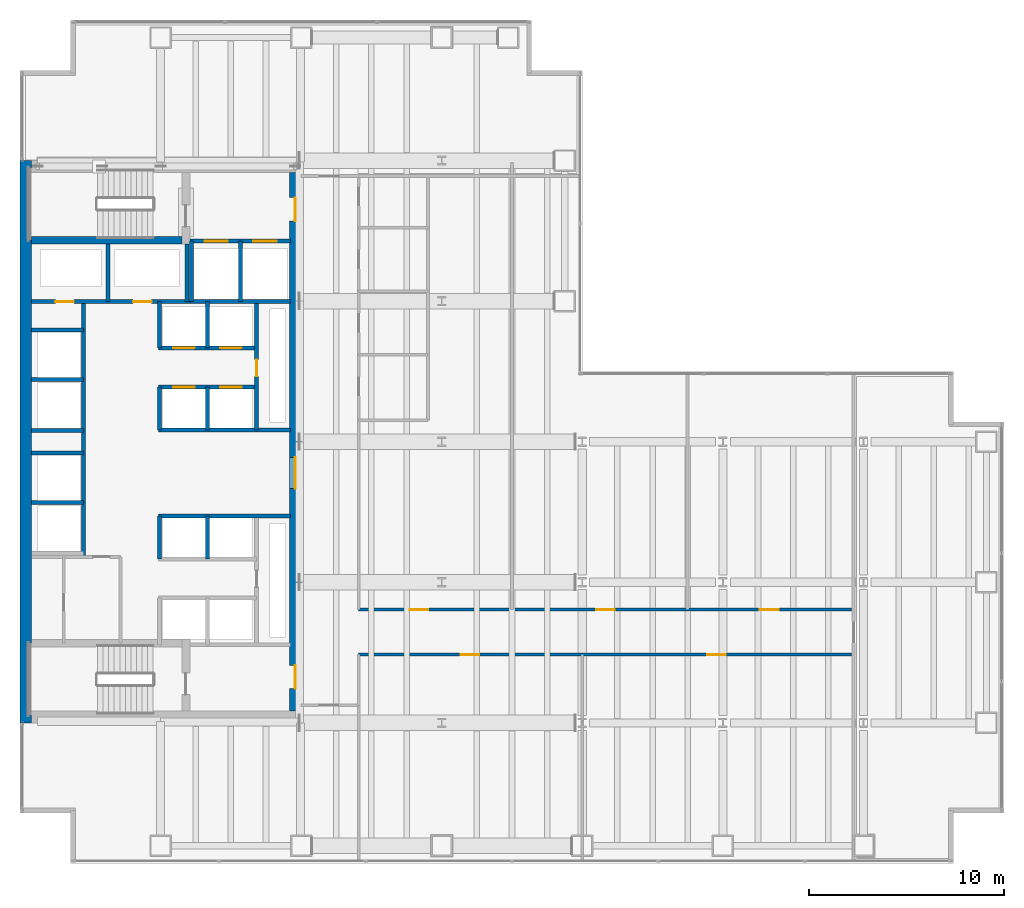
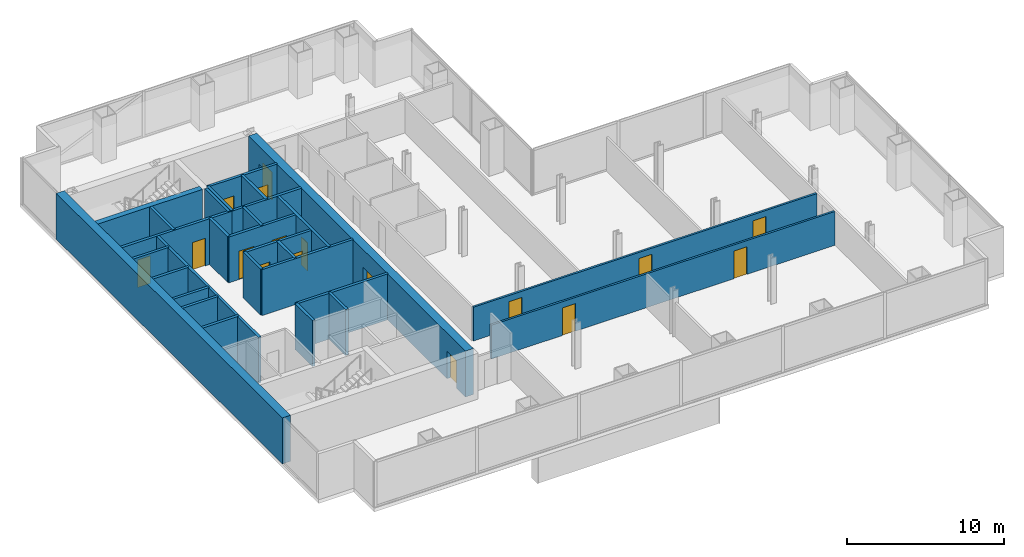
# One storey, part 21 of 24: 29 walls, 17 doors, 17 openings.
"""IFC4 building model written with IfcOpenShell, lengths in metres."""

from ifc_helpers import new_model, si_unit, direction, frame, frame_2d, origin, place, context, subcontext, project, spatial, rectangle, extrude, material, layer, layer_set, type_object, element, fill, save


model = new_model("IFC4")

# Units and contexts
model_context = context("Model", 3, precision=1e-05, world=origin(), true_north=direction((0.0, 1.0)))
body_context = subcontext(model_context, "Body", "Model", "MODEL_VIEW")
ifc_project = project(units=[si_unit("LENGTHUNIT", "METRE"), si_unit("AREAUNIT", "SQUARE_METRE"), si_unit("VOLUMEUNIT", "CUBIC_METRE"), si_unit("PLANEANGLEUNIT", "RADIAN"), si_unit("MASSUNIT", "GRAM", prefix="KILO")], contexts=[model_context])

# Site, building, storey
site_placement = place(None, origin())
site = spatial("IfcSite", under=ifc_project, at=site_placement, CompositionType="ELEMENT")
building_placement = place(site_placement, origin())
building = spatial("IfcBuilding", under=site, at=building_placement, Name="Cobrela Telecom Tower", CompositionType="ELEMENT")
storey_placement = place(building_placement, frame((0.0, 0.0, 31.14990234375)))
storey = spatial("IfcBuildingStorey", under=building, at=storey_placement, Name="L07", CompositionType="ELEMENT", Elevation=31.14990234375)

# Wall
ifc_material_1 = material(Name="Concrete C50/60", Category="concrete")
ifc_layer_1 = layer(ifc_material_1, 0.60009765625)
ifc_layer_set_1 = layer_set([ifc_layer_1], Name="Concrete C50/60")
wall_type_1 = type_object("IfcWallType", Name="WALL-CORE-C50-600", PredefinedType="SHEAR", material=ifc_layer_set_1)
wall_1_placement = place(storey_placement, frame((0.300048828125, 7.199951171875, 0.0), z_axis=(0.0, 0.0, 1.0), x_axis=(0.0, 1.0, 0.0)))
element("IfcWall", 1, at=wall_1_placement, inside=storey, type_object=wall_type_1, Name="L07 West Core Shear Wall", PredefinedType="SHEAR", context=body_context, shape_type="SweptSolid", body=[
    extrude(rectangle(XDim=28.800048828125, YDim=0.60009765625, at=frame_2d((14.39990234375, 0.0))), origin(), (0.0, 0.0, 1.0), 3.570068359375),
])

# Wall, openings, doors
wall_2_placement = place(storey_placement, frame((14.10009765625, 35.39990234375, 0.0), z_axis=(0.0, 0.0, 1.0), x_axis=(0.0, -1.0, 0.0)))
wall_2 = element("IfcWall", 2, at=wall_2_placement, inside=storey, type_object=wall_type_1, Name="L07 East Core Shear Wall", PredefinedType="SHEAR", context=body_context, shape_type="SweptSolid", body=[
    extrude(rectangle(XDim=27.599853515625, YDim=0.60009765625, at=frame_2d((13.7998046875, 0.0))), origin(), (0.0, 0.0, 1.0), 3.570068359375),
])
opening_1_placement = place(wall_2_placement, frame((1.300048828125, 0.0, 0.0)))
opening_1 = element("IfcOpeningElement", 3, at=opening_1_placement, cuts=wall_2, Name="Opening DR-19", PredefinedType="OPENING", context=body_context, shape_type="SweptSolid", body=[
    extrude(rectangle(XDim=1.199951171875, YDim=2.14990234375, at=frame_2d((0.60009765625, 1.074951171875))), frame((0.0, 0.31201171875, 0.0), z_axis=(0.0, -1.0, 0.0), x_axis=(1.0, 0.0, 0.0)), (0.0, 0.0, 1.0), 0.6240234375),
])
opening_2_placement = place(wall_2_placement, frame((25.25, 0.0, 0.0)))
opening_2 = element("IfcOpeningElement", 4, at=opening_2_placement, cuts=wall_2, Name="Opening DR-19", PredefinedType="OPENING", context=body_context, shape_type="SweptSolid", body=[
    extrude(rectangle(XDim=1.199951171875, YDim=2.14990234375, at=frame_2d((0.60009765625, 1.074951171875))), frame((0.0, 0.31201171875, 0.0), z_axis=(0.0, -1.0, 0.0), x_axis=(1.0, 0.0, 0.0)), (0.0, 0.0, 1.0), 0.6240234375),
])
opening_3_placement = place(wall_2_placement, frame((14.60009765625, 0.0, 0.0)))
opening_3 = element("IfcOpeningElement", 5, at=opening_3_placement, cuts=wall_2, Name="Opening DR-51", PredefinedType="OPENING", context=body_context, shape_type="SweptSolid", body=[
    extrude(rectangle(XDim=1.60009765625, YDim=2.199951171875, at=frame_2d((0.800048828125, 1.10009765625))), frame((0.0, 0.31201171875, 0.0), z_axis=(0.0, -1.0, 0.0), x_axis=(1.0, 0.0, 0.0)), (0.0, 0.0, 1.0), 0.6240234375),
])
ifc_material_2 = material(Name="Steel ASTM A36", Category="steel")
door_type_1 = type_object("IfcDoorType", Name="DOOR-FD60-1200", OperationType="SINGLE_SWING_LEFT", PredefinedType="DOOR", material=ifc_material_2)
door_1_placement = place(opening_1_placement, origin())
door_1 = element("IfcDoor", 6, at=door_1_placement, inside=storey, type_object=door_type_1, Name="L07 Door DR-19", OperationType="SINGLE_SWING_LEFT", OverallHeight=2.14990234375, OverallWidth=1.199951171875, PredefinedType="DOOR", context=body_context, shape_type="SweptSolid", body=[
    extrude(rectangle(XDim=1.199951171875, YDim=2.14990234375, at=frame_2d((0.60009765625, 1.074951171875))), frame((0.0, 0.02490234375, 0.0), z_axis=(0.0, -1.0, 0.0), x_axis=(1.0, 0.0, 0.0)), (0.0, 0.0, 1.0), 0.050048828125),
])
fill(opening_1, door_1)
door_2_placement = place(opening_2_placement, origin())
door_2 = element("IfcDoor", 7, at=door_2_placement, inside=storey, type_object=door_type_1, Name="L07 Door DR-19", OperationType="SINGLE_SWING_RIGHT", OverallHeight=2.14990234375, OverallWidth=1.199951171875, PredefinedType="DOOR", context=body_context, shape_type="SweptSolid", body=[
    extrude(rectangle(XDim=1.199951171875, YDim=2.14990234375, at=frame_2d((0.60009765625, 1.074951171875))), frame((0.0, 0.02490234375, 0.0), z_axis=(0.0, -1.0, 0.0), x_axis=(1.0, 0.0, 0.0)), (0.0, 0.0, 1.0), 0.050048828125),
])
fill(opening_2, door_2)
door_type_2 = type_object("IfcDoorType", Name="DOOR-FD60-1600", OperationType="SINGLE_SWING_LEFT", PredefinedType="DOOR", material=ifc_material_2)
door_3_placement = place(opening_3_placement, origin())
door_3 = element("IfcDoor", 8, at=door_3_placement, inside=storey, type_object=door_type_2, Name="L07 Door DR-51", OperationType="DOUBLE_DOOR_SINGLE_SWING", OverallHeight=2.199951171875, OverallWidth=1.60009765625, PredefinedType="DOOR", context=body_context, shape_type="SweptSolid", body=[
    extrude(rectangle(XDim=1.60009765625, YDim=2.199951171875, at=frame_2d((0.800048828125, 1.10009765625))), frame((0.0, 0.02490234375, 0.0), z_axis=(0.0, -1.0, 0.0), x_axis=(1.0, 0.0, 0.0)), (0.0, 0.0, 1.0), 0.050048828125),
])
fill(opening_3, door_3)

ifc_material_3 = material(Name="Fire-Rated Gypsum Plasterboard")
ifc_layer_2 = layer(ifc_material_3, 0.14990234375)
ifc_layer_set_2 = layer_set([ifc_layer_2], Name="Fire-Rated Gypsum Plasterboard")
wall_type_2 = type_object("IfcWallType", Name="WALL-PART-150", PredefinedType="PARTITIONING", material=ifc_layer_set_2)
wall_3_placement = place(storey_placement, frame((17.35009765625, 10.699951171875, 0.0), z_axis=(0.0, 0.0, 1.0), x_axis=(1.0, 0.0, 0.0)))
wall_3 = element("IfcWall", 9, at=wall_3_placement, inside=storey, type_object=wall_type_2, Name="L07 Interior Partition W-C-HS", PredefinedType="PARTITIONING", context=body_context, shape_type="SweptSolid", body=[
    extrude(rectangle(XDim=25.25, YDim=0.14990234375, at=frame_2d((12.625, 0.0))), origin(), (0.0, 0.0, 1.0), 2.628173828125),
])
opening_4_placement = place(wall_3_placement, frame((5.22998046875, 0.0, 0.0)))
opening_4 = element("IfcOpeningElement", 10, at=opening_4_placement, cuts=wall_3, Name="Opening DR-67", PredefinedType="OPENING", context=body_context, shape_type="SweptSolid", body=[
    extrude(rectangle(XDim=0.949951171875, YDim=2.14990234375, at=frame_2d((0.47509765625, 1.074951171875))), frame((0.0, 0.0869140625, 0.0), z_axis=(0.0, -1.0, 0.0), x_axis=(1.0, 0.0, 0.0)), (0.0, 0.0, 1.0), 0.173828125),
])
opening_5_placement = place(wall_3_placement, frame((17.85009765625, 0.0, 0.0)))
opening_5 = element("IfcOpeningElement", 11, at=opening_5_placement, cuts=wall_3, Name="Opening DR-67", PredefinedType="OPENING", context=body_context, shape_type="SweptSolid", body=[
    extrude(rectangle(XDim=0.949951171875, YDim=2.14990234375, at=frame_2d((0.47509765625, 1.074951171875))), frame((0.0, 0.0869140625, 0.0), z_axis=(0.0, -1.0, 0.0), x_axis=(1.0, 0.0, 0.0)), (0.0, 0.0, 1.0), 0.173828125),
])
ifc_material_4 = material(Name="Solid Engineered Oak Timber", Category="wood")
door_type_3 = type_object("IfcDoorType", Name="DOOR-INT-950", OperationType="SINGLE_SWING_LEFT", PredefinedType="DOOR", material=ifc_material_4)
door_4_placement = place(opening_4_placement, origin())
door_4 = element("IfcDoor", 12, at=door_4_placement, inside=storey, type_object=door_type_3, Name="L07 Door DR-67", OperationType="SINGLE_SWING_LEFT", OverallHeight=2.14990234375, OverallWidth=0.949951171875, PredefinedType="DOOR", context=body_context, shape_type="SweptSolid", body=[
    extrude(rectangle(XDim=0.949951171875, YDim=2.14990234375, at=frame_2d((0.47509765625, 1.074951171875))), frame((0.0, 0.02490234375, 0.0), z_axis=(0.0, -1.0, 0.0), x_axis=(1.0, 0.0, 0.0)), (0.0, 0.0, 1.0), 0.050048828125),
])
fill(opening_4, door_4)
door_5_placement = place(opening_5_placement, origin())
door_5 = element("IfcDoor", 13, at=door_5_placement, inside=storey, type_object=door_type_3, Name="L07 Door DR-67", OperationType="SINGLE_SWING_RIGHT", OverallHeight=2.14990234375, OverallWidth=0.949951171875, PredefinedType="DOOR", context=body_context, shape_type="SweptSolid", body=[
    extrude(rectangle(XDim=0.949951171875, YDim=2.14990234375, at=frame_2d((0.47509765625, 1.074951171875))), frame((0.0, 0.02490234375, 0.0), z_axis=(0.0, -1.0, 0.0), x_axis=(1.0, 0.0, 0.0)), (0.0, 0.0, 1.0), 0.050048828125),
])
fill(opening_5, door_5)

wall_4_placement = place(storey_placement, frame((17.35009765625, 13.0, 0.0), z_axis=(0.0, 0.0, 1.0), x_axis=(1.0, 0.0, 0.0)))
wall_4 = element("IfcWall", 14, at=wall_4_placement, inside=storey, type_object=wall_type_2, Name="L07 Interior Partition W-C-HN", PredefinedType="PARTITIONING", context=body_context, shape_type="SweptSolid", body=[
    extrude(rectangle(XDim=25.25, YDim=0.14990234375, at=frame_2d((12.625, 0.0))), origin(), (0.0, 0.0, 1.0), 2.628173828125),
])
opening_6_placement = place(wall_4_placement, frame((2.6201171875, 0.0, 0.0)))
opening_6 = element("IfcOpeningElement", 15, at=opening_6_placement, cuts=wall_4, Name="Opening DR-67", PredefinedType="OPENING", context=body_context, shape_type="SweptSolid", body=[
    extrude(rectangle(XDim=0.949951171875, YDim=2.14990234375, at=frame_2d((0.47509765625, 1.074951171875))), frame((0.0, 0.0869140625, 0.0), z_axis=(0.0, -1.0, 0.0), x_axis=(1.0, 0.0, 0.0)), (0.0, 0.0, 1.0), 0.173828125),
])
opening_7_placement = place(wall_4_placement, frame((12.169921875, 0.0, 0.0)))
opening_7 = element("IfcOpeningElement", 16, at=opening_7_placement, cuts=wall_4, Name="Opening DR-67", PredefinedType="OPENING", context=body_context, shape_type="SweptSolid", body=[
    extrude(rectangle(XDim=0.949951171875, YDim=2.14990234375, at=frame_2d((0.47509765625, 1.074951171875))), frame((0.0, 0.0869140625, 0.0), z_axis=(0.0, -1.0, 0.0), x_axis=(1.0, 0.0, 0.0)), (0.0, 0.0, 1.0), 0.173828125),
])
opening_8_placement = place(wall_4_placement, frame((20.550048828125, 0.0, 0.0)))
opening_8 = element("IfcOpeningElement", 17, at=opening_8_placement, cuts=wall_4, Name="Opening DR-67", PredefinedType="OPENING", context=body_context, shape_type="SweptSolid", body=[
    extrude(rectangle(XDim=0.949951171875, YDim=2.14990234375, at=frame_2d((0.47509765625, 1.074951171875))), frame((0.0, 0.0869140625, 0.0), z_axis=(0.0, -1.0, 0.0), x_axis=(1.0, 0.0, 0.0)), (0.0, 0.0, 1.0), 0.173828125),
])
door_6_placement = place(opening_6_placement, origin())
door_6 = element("IfcDoor", 18, at=door_6_placement, inside=storey, type_object=door_type_3, Name="L07 Door DR-67", OperationType="SINGLE_SWING_LEFT", OverallHeight=2.14990234375, OverallWidth=0.949951171875, PredefinedType="DOOR", context=body_context, shape_type="SweptSolid", body=[
    extrude(rectangle(XDim=0.949951171875, YDim=2.14990234375, at=frame_2d((0.47509765625, 1.074951171875))), frame((0.0, 0.02490234375, 0.0), z_axis=(0.0, -1.0, 0.0), x_axis=(1.0, 0.0, 0.0)), (0.0, 0.0, 1.0), 0.050048828125),
])
fill(opening_6, door_6)
door_7_placement = place(opening_7_placement, origin())
door_7 = element("IfcDoor", 19, at=door_7_placement, inside=storey, type_object=door_type_3, Name="L07 Door DR-67", OperationType="SINGLE_SWING_RIGHT", OverallHeight=2.14990234375, OverallWidth=0.949951171875, PredefinedType="DOOR", context=body_context, shape_type="SweptSolid", body=[
    extrude(rectangle(XDim=0.949951171875, YDim=2.14990234375, at=frame_2d((0.47509765625, 1.074951171875))), frame((0.0, 0.02490234375, 0.0), z_axis=(0.0, -1.0, 0.0), x_axis=(1.0, 0.0, 0.0)), (0.0, 0.0, 1.0), 0.050048828125),
])
fill(opening_7, door_7)
door_8_placement = place(opening_8_placement, origin())
door_8 = element("IfcDoor", 20, at=door_8_placement, inside=storey, type_object=door_type_3, Name="L07 Door DR-67", OperationType="SINGLE_SWING_LEFT", OverallHeight=2.14990234375, OverallWidth=0.949951171875, PredefinedType="DOOR", context=body_context, shape_type="SweptSolid", body=[
    extrude(rectangle(XDim=0.949951171875, YDim=2.14990234375, at=frame_2d((0.47509765625, 1.074951171875))), frame((0.0, 0.02490234375, 0.0), z_axis=(0.0, -1.0, 0.0), x_axis=(1.0, 0.0, 0.0)), (0.0, 0.0, 1.0), 0.050048828125),
])
fill(opening_8, door_8)

ifc_layer_3 = layer(ifc_material_3, 0.199951171875)
ifc_layer_set_3 = layer_set([ifc_layer_3], Name="Fire-Rated Gypsum Plasterboard")
wall_type_3 = type_object("IfcWallType", Name="WALL-SHAFT-200", PredefinedType="PARTITIONING", material=ifc_layer_set_3)
wall_5_placement = place(storey_placement, frame((8.699951171875, 31.8798828125, 0.0), z_axis=(0.0, 0.0, 1.0), x_axis=(1.0, 0.0, 0.0)))
wall_5 = element("IfcWall", 21, at=wall_5_placement, inside=storey, type_object=wall_type_3, Name="L07 Shaft Enclosure CW-FFL-S", PredefinedType="PARTITIONING", context=body_context, shape_type="SweptSolid", body=[
    extrude(rectangle(XDim=5.150146484375, YDim=0.199951171875, at=frame_2d((2.5751953125, 0.0))), origin(), (0.0, 0.0, 1.0), 3.570068359375),
])
opening_9_placement = place(wall_5_placement, frame((0.75, 0.0, 0.0)))
opening_9 = element("IfcOpeningElement", 22, at=opening_9_placement, cuts=wall_5, Name="Opening LD-2", PredefinedType="OPENING", context=body_context, shape_type="SweptSolid", body=[
    extrude(rectangle(XDim=1.199951171875, YDim=2.199951171875, at=frame_2d((0.60009765625, 1.10009765625))), frame((0.0, 0.11181640625, 0.0), z_axis=(0.0, -1.0, 0.0), x_axis=(1.0, 0.0, 0.0)), (0.0, 0.0, 1.0), 0.223876953125),
])
opening_10_placement = place(wall_5_placement, frame((3.25, 0.0, 0.0)))
opening_10 = element("IfcOpeningElement", 23, at=opening_10_placement, cuts=wall_5, Name="Opening LD-2", PredefinedType="OPENING", context=body_context, shape_type="SweptSolid", body=[
    extrude(rectangle(XDim=1.199951171875, YDim=2.199951171875, at=frame_2d((0.60009765625, 1.10009765625))), frame((0.0, 0.11181640625, 0.0), z_axis=(0.0, -1.0, 0.0), x_axis=(1.0, 0.0, 0.0)), (0.0, 0.0, 1.0), 0.223876953125),
])
door_type_4 = type_object("IfcDoorType", Name="DOOR-LD-FFL", OperationType="SINGLE_SWING_LEFT", PredefinedType="DOOR", material=ifc_material_2)
door_9_placement = place(opening_9_placement, origin())
door_9 = element("IfcDoor", 24, at=door_9_placement, inside=storey, type_object=door_type_4, Name="L07 Lift Landing Door LD-2", OperationType="DOUBLE_DOOR_SLIDING", OverallHeight=2.199951171875, OverallWidth=1.199951171875, PredefinedType="DOOR", context=body_context, shape_type="SweptSolid", body=[
    extrude(rectangle(XDim=1.199951171875, YDim=2.199951171875, at=frame_2d((0.60009765625, 1.10009765625))), frame((0.0, 0.02490234375, 0.0), z_axis=(0.0, -1.0, 0.0), x_axis=(1.0, 0.0, 0.0)), (0.0, 0.0, 1.0), 0.050048828125),
])
fill(opening_9, door_9)
door_10_placement = place(opening_10_placement, origin())
door_10 = element("IfcDoor", 25, at=door_10_placement, inside=storey, type_object=door_type_4, Name="L07 Lift Landing Door LD-2", OperationType="DOUBLE_DOOR_SLIDING", OverallHeight=2.199951171875, OverallWidth=1.199951171875, PredefinedType="DOOR", context=body_context, shape_type="SweptSolid", body=[
    extrude(rectangle(XDim=1.199951171875, YDim=2.199951171875, at=frame_2d((0.60009765625, 1.10009765625))), frame((0.0, 0.02490234375, 0.0), z_axis=(0.0, -1.0, 0.0), x_axis=(1.0, 0.0, 0.0)), (0.0, 0.0, 1.0), 0.050048828125),
])
fill(opening_10, door_10)

# Walls
wall_6_placement = place(storey_placement, frame((8.699951171875, 28.780029296875, 0.0), z_axis=(0.0, 0.0, 1.0), x_axis=(1.0, 0.0, 0.0)))
element("IfcWall", 26, at=wall_6_placement, inside=storey, type_object=wall_type_3, Name="L07 Shaft Enclosure CW-FFL-S2", PredefinedType="PARTITIONING", context=body_context, shape_type="SweptSolid", body=[
    extrude(rectangle(XDim=5.150146484375, YDim=0.199951171875, at=frame_2d((2.5751953125, 0.0))), origin(), (0.0, 0.0, 1.0), 3.570068359375),
])
for number, where, z_axis, x_axis, name in (
    (27, (8.780029296875, 28.780029296875, 0.0), (0.0, 0.0, 1.0), (0.0, 1.0, 0.0), "L07 Shaft Enclosure CW-FFL-W"),
    (28, (11.300048828125, 28.780029296875, 0.0), (0.0, 0.0, 1.0), (0.0, 1.0, 0.0), "L07 Shaft Enclosure CW-FFL-M"),
):
    element("IfcWall", number, at=place(storey_placement, frame(where, z_axis=z_axis, x_axis=x_axis)), inside=storey, type_object=wall_type_3, Name=name, PredefinedType="PARTITIONING", context=body_context, shape_type="SweptSolid", body=[
        extrude(rectangle(XDim=3.099853515625, YDim=0.199951171875, at=frame_2d((1.5498046875, 0.0))), origin(), (0.0, 0.0, 1.0), 3.570068359375),
    ])

# Wall, openings, doors
wall_7_placement = place(storey_placement, frame((0.60009765625, 28.780029296875, 0.0), z_axis=(0.0, 0.0, 1.0), x_axis=(1.0, 0.0, 0.0)))
wall_7 = element("IfcWall", 29, at=wall_7_placement, inside=storey, type_object=wall_type_3, Name="L07 Shaft Enclosure CW-RIS-S", PredefinedType="PARTITIONING", context=body_context, shape_type="SweptSolid", body=[
    extrude(rectangle(XDim=8.179931640625, YDim=0.199951171875, at=frame_2d((4.08984375, 0.0))), origin(), (0.0, 0.0, 1.0), 3.570068359375),
])
opening_11_placement = place(wall_7_placement, frame((1.2099609375, 0.0, 0.0)))
opening_11 = element("IfcOpeningElement", 30, at=opening_11_placement, cuts=wall_7, Name="Opening DR-65", PredefinedType="OPENING", context=body_context, shape_type="SweptSolid", body=[
    extrude(rectangle(XDim=0.949951171875, YDim=2.14990234375, at=frame_2d((0.47509765625, 1.074951171875))), frame((0.0, 0.11181640625, 0.0), z_axis=(0.0, -1.0, 0.0), x_axis=(1.0, 0.0, 0.0)), (0.0, 0.0, 1.0), 0.223876953125),
])
opening_12_placement = place(wall_7_placement, frame((5.18994140625, 0.0, 0.0)))
opening_12 = element("IfcOpeningElement", 31, at=opening_12_placement, cuts=wall_7, Name="Opening DR-65", PredefinedType="OPENING", context=body_context, shape_type="SweptSolid", body=[
    extrude(rectangle(XDim=0.949951171875, YDim=2.14990234375, at=frame_2d((0.47509765625, 1.074951171875))), frame((0.0, 0.11181640625, 0.0), z_axis=(0.0, -1.0, 0.0), x_axis=(1.0, 0.0, 0.0)), (0.0, 0.0, 1.0), 0.223876953125),
])
door_type_5 = type_object("IfcDoorType", Name="DOOR-FD60-950", OperationType="SINGLE_SWING_LEFT", PredefinedType="DOOR", material=ifc_material_2)
door_11_placement = place(opening_11_placement, origin())
door_11 = element("IfcDoor", 32, at=door_11_placement, inside=storey, type_object=door_type_5, Name="L07 Door DR-65", OperationType="SINGLE_SWING_LEFT", OverallHeight=2.14990234375, OverallWidth=0.949951171875, PredefinedType="DOOR", context=body_context, shape_type="SweptSolid", body=[
    extrude(rectangle(XDim=0.949951171875, YDim=2.14990234375, at=frame_2d((0.47509765625, 1.074951171875))), frame((0.0, 0.02490234375, 0.0), z_axis=(0.0, -1.0, 0.0), x_axis=(1.0, 0.0, 0.0)), (0.0, 0.0, 1.0), 0.050048828125),
])
fill(opening_11, door_11)
door_12_placement = place(opening_12_placement, origin())
door_12 = element("IfcDoor", 33, at=door_12_placement, inside=storey, type_object=door_type_5, Name="L07 Door DR-65", OperationType="SINGLE_SWING_RIGHT", OverallHeight=2.14990234375, OverallWidth=0.949951171875, PredefinedType="DOOR", context=body_context, shape_type="SweptSolid", body=[
    extrude(rectangle(XDim=0.949951171875, YDim=2.14990234375, at=frame_2d((0.47509765625, 1.074951171875))), frame((0.0, 0.02490234375, 0.0), z_axis=(0.0, -1.0, 0.0), x_axis=(1.0, 0.0, 0.0)), (0.0, 0.0, 1.0), 0.050048828125),
])
fill(opening_12, door_12)

# Walls
for number, where, z_axis, x_axis, name in (
    (34, (4.5, 28.780029296875, 0.0), (0.0, 0.0, 1.0), (0.0, 1.0, 0.0), "L07 Shaft Enclosure CW-RIS-M"),
    (35, (8.550048828125, 28.780029296875, 0.0), (0.0, 0.0, 1.0), (0.0, 1.0, 0.0), "L07 Shaft Enclosure CW-RIS-E"),
):
    element("IfcWall", number, at=place(storey_placement, frame(where, z_axis=z_axis, x_axis=x_axis)), inside=storey, type_object=wall_type_3, Name=name, PredefinedType="PARTITIONING", context=body_context, shape_type="SweptSolid", body=[
        extrude(rectangle(XDim=2.93994140625, YDim=0.199951171875, at=frame_2d((1.469970703125, 0.0))), origin(), (0.0, 0.0, 1.0), 3.570068359375),
    ])
wall_8_placement = place(storey_placement, frame((3.25, 15.699951171875, 0.0), z_axis=(0.0, 0.0, 1.0), x_axis=(0.0, 1.0, 0.0)))
element("IfcWall", 36, at=wall_8_placement, inside=storey, type_object=wall_type_3, Name="L07 Shaft Enclosure CW-PLH-E", PredefinedType="PARTITIONING", context=body_context, shape_type="SweptSolid", body=[
    extrude(rectangle(XDim=13.080078125, YDim=0.199951171875, at=frame_2d((6.5400390625, 0.0))), origin(), (0.0, 0.0, 1.0), 3.570068359375),
])
for number, where, z_axis, x_axis, name in (
    (37, (0.60009765625, 18.47998046875, 0.0), (0.0, 0.0, 1.0), (1.0, 0.0, 0.0), "L07 Shaft Enclosure CW-PLH-D10"),
    (38, (0.60009765625, 22.179931640625, 0.0), (0.0, 0.0, 1.0), (1.0, 0.0, 0.0), "L07 Shaft Enclosure CW-PLH-D11"),
    (39, (0.60009765625, 24.780029296875, 0.0), (0.0, 0.0, 1.0), (1.0, 0.0, 0.0), "L07 Shaft Enclosure CW-PLH-D12"),
    (40, (0.60009765625, 21.02001953125, 0.0), (0.0, 0.0, 1.0), (1.0, 0.0, 0.0), "L07 Shaft Enclosure CW-PLH-MID"),
    (41, (0.60009765625, 27.320068359375, 0.0), (0.0, 0.0, 1.0), (1.0, 0.0, 0.0), "L07 Shaft Enclosure CW-PLH-TOP"),
):
    element("IfcWall", number, at=place(storey_placement, frame(where, z_axis=z_axis, x_axis=x_axis)), inside=storey, type_object=wall_type_3, Name=name, PredefinedType="PARTITIONING", context=body_context, shape_type="SweptSolid", body=[
        extrude(rectangle(XDim=2.64990234375, YDim=0.199951171875, at=frame_2d((1.324951171875, 0.0))), origin(), (0.0, 0.0, 1.0), 3.570068359375),
    ])
wall_9_placement = place(storey_placement, frame((7.10009765625, 22.199951171875, 0.0), z_axis=(0.0, 0.0, 1.0), x_axis=(1.0, 0.0, 0.0)))
element("IfcWall", 42, at=wall_9_placement, inside=storey, type_object=wall_type_3, Name="L07 Shaft Enclosure CW-PLL-B0", PredefinedType="PARTITIONING", context=body_context, shape_type="SweptSolid", body=[
    extrude(rectangle(XDim=6.75, YDim=0.199951171875, at=frame_2d((3.375, 0.0))), origin(), (0.0, 0.0, 1.0), 3.570068359375),
])

# Wall, openings, doors
wall_10_placement = place(storey_placement, frame((7.10009765625, 24.39990234375, 0.0), z_axis=(0.0, 0.0, 1.0), x_axis=(1.0, 0.0, 0.0)))
wall_10 = element("IfcWall", 43, at=wall_10_placement, inside=storey, type_object=wall_type_3, Name="L07 Shaft Enclosure CW-PLL-S", PredefinedType="PARTITIONING", context=body_context, shape_type="SweptSolid", body=[
    extrude(rectangle(XDim=5.02001953125, YDim=0.199951171875, at=frame_2d((2.510009765625, 0.0))), origin(), (0.0, 0.0, 1.0), 3.570068359375),
])
opening_13_placement = place(wall_10_placement, frame((0.75, 0.0, 0.0)))
opening_13 = element("IfcOpeningElement", 44, at=opening_13_placement, cuts=wall_10, Name="Opening LD-1", PredefinedType="OPENING", context=body_context, shape_type="SweptSolid", body=[
    extrude(rectangle(XDim=1.10009765625, YDim=2.199951171875, at=frame_2d((0.550048828125, 1.10009765625))), frame((0.0, 0.11181640625, 0.0), z_axis=(0.0, -1.0, 0.0), x_axis=(1.0, 0.0, 0.0)), (0.0, 0.0, 1.0), 0.223876953125),
])
opening_14_placement = place(wall_10_placement, frame((3.14990234375, 0.0, 0.0)))
opening_14 = element("IfcOpeningElement", 45, at=opening_14_placement, cuts=wall_10, Name="Opening LD-1", PredefinedType="OPENING", context=body_context, shape_type="SweptSolid", body=[
    extrude(rectangle(XDim=1.10009765625, YDim=2.199951171875, at=frame_2d((0.550048828125, 1.10009765625))), frame((0.0, 0.11181640625, 0.0), z_axis=(0.0, -1.0, 0.0), x_axis=(1.0, 0.0, 0.0)), (0.0, 0.0, 1.0), 0.223876953125),
])
door_type_6 = type_object("IfcDoorType", Name="DOOR-LD-PL", OperationType="SINGLE_SWING_LEFT", PredefinedType="DOOR", material=ifc_material_2)
door_13_placement = place(opening_13_placement, origin())
door_13 = element("IfcDoor", 46, at=door_13_placement, inside=storey, type_object=door_type_6, Name="L07 Lift Landing Door LD-1", OperationType="DOUBLE_DOOR_SLIDING", OverallHeight=2.199951171875, OverallWidth=1.10009765625, PredefinedType="DOOR", context=body_context, shape_type="SweptSolid", body=[
    extrude(rectangle(XDim=1.10009765625, YDim=2.199951171875, at=frame_2d((0.550048828125, 1.10009765625))), frame((0.0, 0.02490234375, 0.0), z_axis=(0.0, -1.0, 0.0), x_axis=(1.0, 0.0, 0.0)), (0.0, 0.0, 1.0), 0.050048828125),
])
fill(opening_13, door_13)
door_14_placement = place(opening_14_placement, origin())
door_14 = element("IfcDoor", 47, at=door_14_placement, inside=storey, type_object=door_type_6, Name="L07 Lift Landing Door LD-1", OperationType="DOUBLE_DOOR_SLIDING", OverallHeight=2.199951171875, OverallWidth=1.10009765625, PredefinedType="DOOR", context=body_context, shape_type="SweptSolid", body=[
    extrude(rectangle(XDim=1.10009765625, YDim=2.199951171875, at=frame_2d((0.550048828125, 1.10009765625))), frame((0.0, 0.02490234375, 0.0), z_axis=(0.0, -1.0, 0.0), x_axis=(1.0, 0.0, 0.0)), (0.0, 0.0, 1.0), 0.050048828125),
])
fill(opening_14, door_14)

wall_11_placement = place(storey_placement, frame((7.10009765625, 26.39990234375, 0.0), z_axis=(0.0, 0.0, 1.0), x_axis=(1.0, 0.0, 0.0)))
wall_11 = element("IfcWall", 48, at=wall_11_placement, inside=storey, type_object=wall_type_3, Name="L07 Shaft Enclosure CW-PLL-N", PredefinedType="PARTITIONING", context=body_context, shape_type="SweptSolid", body=[
    extrude(rectangle(XDim=5.02001953125, YDim=0.199951171875, at=frame_2d((2.510009765625, 0.0))), origin(), (0.0, 0.0, 1.0), 3.570068359375),
])
opening_15_placement = place(wall_11_placement, frame((0.75, 0.0, 0.0)))
opening_15 = element("IfcOpeningElement", 49, at=opening_15_placement, cuts=wall_11, Name="Opening LD-1", PredefinedType="OPENING", context=body_context, shape_type="SweptSolid", body=[
    extrude(rectangle(XDim=1.10009765625, YDim=2.199951171875, at=frame_2d((0.550048828125, 1.10009765625))), frame((0.0, 0.11181640625, 0.0), z_axis=(0.0, -1.0, 0.0), x_axis=(1.0, 0.0, 0.0)), (0.0, 0.0, 1.0), 0.223876953125),
])
opening_16_placement = place(wall_11_placement, frame((3.14990234375, 0.0, 0.0)))
opening_16 = element("IfcOpeningElement", 50, at=opening_16_placement, cuts=wall_11, Name="Opening LD-1", PredefinedType="OPENING", context=body_context, shape_type="SweptSolid", body=[
    extrude(rectangle(XDim=1.10009765625, YDim=2.199951171875, at=frame_2d((0.550048828125, 1.10009765625))), frame((0.0, 0.11181640625, 0.0), z_axis=(0.0, -1.0, 0.0), x_axis=(1.0, 0.0, 0.0)), (0.0, 0.0, 1.0), 0.223876953125),
])
door_15_placement = place(opening_15_placement, origin())
door_15 = element("IfcDoor", 51, at=door_15_placement, inside=storey, type_object=door_type_6, Name="L07 Lift Landing Door LD-1", OperationType="DOUBLE_DOOR_SLIDING", OverallHeight=2.199951171875, OverallWidth=1.10009765625, PredefinedType="DOOR", context=body_context, shape_type="SweptSolid", body=[
    extrude(rectangle(XDim=1.10009765625, YDim=2.199951171875, at=frame_2d((0.550048828125, 1.10009765625))), frame((0.0, 0.02490234375, 0.0), z_axis=(0.0, -1.0, 0.0), x_axis=(1.0, 0.0, 0.0)), (0.0, 0.0, 1.0), 0.050048828125),
])
fill(opening_15, door_15)
door_16_placement = place(opening_16_placement, origin())
door_16 = element("IfcDoor", 52, at=door_16_placement, inside=storey, type_object=door_type_6, Name="L07 Lift Landing Door LD-1", OperationType="DOUBLE_DOOR_SLIDING", OverallHeight=2.199951171875, OverallWidth=1.10009765625, PredefinedType="DOOR", context=body_context, shape_type="SweptSolid", body=[
    extrude(rectangle(XDim=1.10009765625, YDim=2.199951171875, at=frame_2d((0.550048828125, 1.10009765625))), frame((0.0, 0.02490234375, 0.0), z_axis=(0.0, -1.0, 0.0), x_axis=(1.0, 0.0, 0.0)), (0.0, 0.0, 1.0), 0.050048828125),
])
fill(opening_16, door_16)

# Walls
wall_12_placement = place(storey_placement, frame((7.14990234375, 22.199951171875, 0.0), z_axis=(0.0, 0.0, 1.0), x_axis=(0.0, 1.0, 0.0)))
element("IfcWall", 53, at=wall_12_placement, inside=storey, type_object=wall_type_3, Name="L07 Shaft Enclosure CW-PLL-V1", PredefinedType="PARTITIONING", context=body_context, shape_type="SweptSolid", body=[
    extrude(rectangle(XDim=2.199951171875, YDim=0.199951171875, at=frame_2d((1.10009765625, 0.0))), origin(), (0.0, 0.0, 1.0), 3.570068359375),
])
wall_13_placement = place(storey_placement, frame((7.14990234375, 26.39990234375, 0.0), z_axis=(0.0, 0.0, 1.0), x_axis=(0.0, 1.0, 0.0)))
element("IfcWall", 54, at=wall_13_placement, inside=storey, type_object=wall_type_3, Name="L07 Shaft Enclosure CW-PLL-V1B", PredefinedType="PARTITIONING", context=body_context, shape_type="SweptSolid", body=[
    extrude(rectangle(XDim=2.380126953125, YDim=0.199951171875, at=frame_2d((1.18994140625, 0.0))), origin(), (0.0, 0.0, 1.0), 3.570068359375),
])
wall_14_placement = place(storey_placement, frame((9.60009765625, 22.199951171875, 0.0), z_axis=(0.0, 0.0, 1.0), x_axis=(0.0, 1.0, 0.0)))
element("IfcWall", 55, at=wall_14_placement, inside=storey, type_object=wall_type_3, Name="L07 Shaft Enclosure CW-PLL-V2", PredefinedType="PARTITIONING", context=body_context, shape_type="SweptSolid", body=[
    extrude(rectangle(XDim=2.199951171875, YDim=0.199951171875, at=frame_2d((1.10009765625, 0.0))), origin(), (0.0, 0.0, 1.0), 3.570068359375),
])
wall_15_placement = place(storey_placement, frame((9.60009765625, 26.39990234375, 0.0), z_axis=(0.0, 0.0, 1.0), x_axis=(0.0, 1.0, 0.0)))
element("IfcWall", 56, at=wall_15_placement, inside=storey, type_object=wall_type_3, Name="L07 Shaft Enclosure CW-PLL-V2B", PredefinedType="PARTITIONING", context=body_context, shape_type="SweptSolid", body=[
    extrude(rectangle(XDim=2.380126953125, YDim=0.199951171875, at=frame_2d((1.18994140625, 0.0))), origin(), (0.0, 0.0, 1.0), 3.570068359375),
])

# Wall, opening, door
wall_16_placement = place(storey_placement, frame((12.1201171875, 22.199951171875, 0.0), z_axis=(0.0, 0.0, 1.0), x_axis=(0.0, 1.0, 0.0)))
wall_16 = element("IfcWall", 57, at=wall_16_placement, inside=storey, type_object=wall_type_3, Name="L07 Shaft Enclosure CW-PLL-V3", PredefinedType="PARTITIONING", context=body_context, shape_type="SweptSolid", body=[
    extrude(rectangle(XDim=6.580078125, YDim=0.199951171875, at=frame_2d((3.2900390625, 0.0))), origin(), (0.0, 0.0, 1.0), 3.570068359375),
])
opening_17_placement = place(wall_16_placement, frame((2.75, 0.0, 0.0)))
opening_17 = element("IfcOpeningElement", 58, at=opening_17_placement, cuts=wall_16, Name="Opening DR-11", PredefinedType="OPENING", context=body_context, shape_type="SweptSolid", body=[
    extrude(rectangle(XDim=0.85009765625, YDim=2.14990234375, at=frame_2d((0.425048828125, 1.074951171875))), frame((0.0, 0.11181640625, 0.0), z_axis=(0.0, -1.0, 0.0), x_axis=(1.0, 0.0, 0.0)), (0.0, 0.0, 1.0), 0.223876953125),
])
door_type_7 = type_object("IfcDoorType", Name="DOOR-INT-850", OperationType="SINGLE_SWING_LEFT", PredefinedType="DOOR", material=ifc_material_4)
door_17_placement = place(opening_17_placement, origin())
door_17 = element("IfcDoor", 59, at=door_17_placement, inside=storey, type_object=door_type_7, Name="L07 Door DR-11", OperationType="SINGLE_SWING_LEFT", OverallHeight=2.14990234375, OverallWidth=0.85009765625, PredefinedType="DOOR", context=body_context, shape_type="SweptSolid", body=[
    extrude(rectangle(XDim=0.85009765625, YDim=2.14990234375, at=frame_2d((0.425048828125, 1.074951171875))), frame((0.0, 0.02490234375, 0.0), z_axis=(0.0, -1.0, 0.0), x_axis=(1.0, 0.0, 0.0)), (0.0, 0.0, 1.0), 0.050048828125),
])
fill(opening_17, door_17)

# Walls
wall_17_placement = place(storey_placement, frame((7.10009765625, 17.800048828125, 0.0), z_axis=(0.0, 0.0, 1.0), x_axis=(1.0, 0.0, 0.0)))
element("IfcWall", 60, at=wall_17_placement, inside=storey, type_object=wall_type_3, Name="L07 Shaft Enclosure CW-PLM-T0", PredefinedType="PARTITIONING", context=body_context, shape_type="SweptSolid", body=[
    extrude(rectangle(XDim=6.75, YDim=0.199951171875, at=frame_2d((3.375, 0.0))), origin(), (0.0, 0.0, 1.0), 3.570068359375),
])
for number, where, z_axis, x_axis, name in (
    (61, (7.14990234375, 15.60009765625, 0.0), (0.0, 0.0, 1.0), (0.0, 1.0, 0.0), "L07 Shaft Enclosure CW-PLM-V1"),
    (62, (9.60009765625, 15.60009765625, 0.0), (0.0, 0.0, 1.0), (0.0, 1.0, 0.0), "L07 Shaft Enclosure CW-PLM-V2"),
):
    element("IfcWall", number, at=place(storey_placement, frame(where, z_axis=z_axis, x_axis=x_axis)), inside=storey, type_object=wall_type_3, Name=name, PredefinedType="PARTITIONING", context=body_context, shape_type="SweptSolid", body=[
        extrude(rectangle(XDim=2.199951171875, YDim=0.199951171875, at=frame_2d((1.10009765625, 0.0))), origin(), (0.0, 0.0, 1.0), 3.570068359375),
    ])
ifc_material_5 = material(Name="Concrete C40/50", Category="concrete")
ifc_layer_4 = layer(ifc_material_5, 0.39990234375)
ifc_layer_set_4 = layer_set([ifc_layer_4], Name="Concrete C40/50")
wall_type_4 = type_object("IfcWallType", Name="WALL-SHAFT-C40-400", PredefinedType="SHEAR", material=ifc_layer_set_4)
wall_18_placement = place(storey_placement, frame((0.60009765625, 31.919921875, 0.0), z_axis=(0.0, 0.0, 1.0), x_axis=(1.0, 0.0, 0.0)))
element("IfcWall", 63, at=wall_18_placement, inside=storey, type_object=wall_type_4, Name="L07 North Stair Shear Wall", PredefinedType="SHEAR", context=body_context, shape_type="SweptSolid", body=[
    extrude(rectangle(XDim=7.699951171875, YDim=0.39990234375, at=frame_2d((3.85009765625, 0.0))), origin(), (0.0, 0.0, 1.0), 3.570068359375),
])

save(model, "model.ifc")
